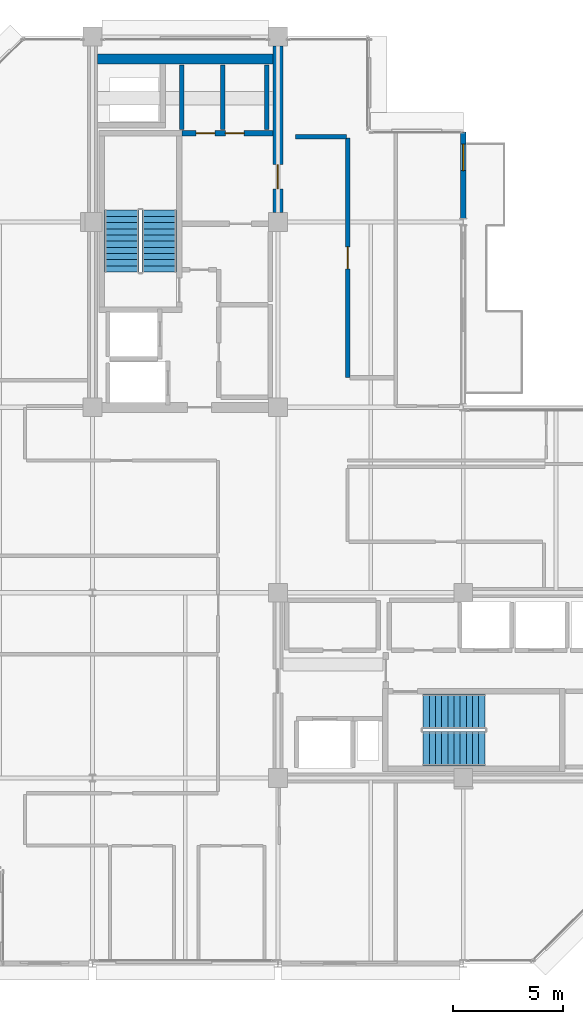
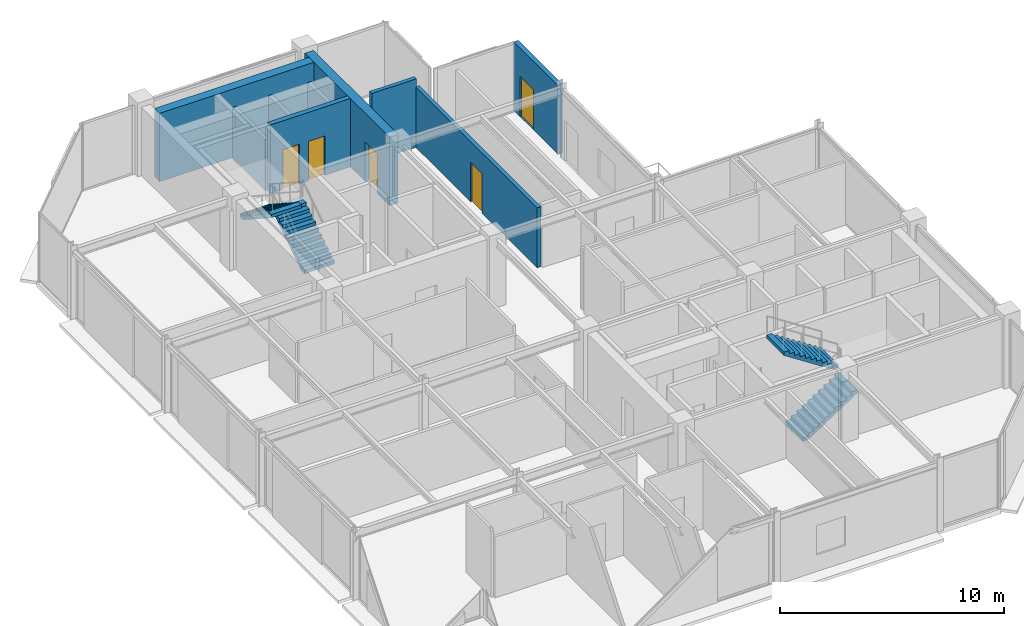
# One storey, part 22 of 25: 9 walls, 5 doors, 4 stair flights, 5 openings, 2 elements without a shape of their own.
"""IFC4 building model written with IfcOpenShell, lengths in metres."""

from ifc_helpers import new_model, si_unit, direction, frame, frame_2d, origin, place, context, subcontext, project, spatial, polyline, rectangle, outline, extrude, material, layer, layer_set, type_object, element, fill, aggregate, save


model = new_model("IFC4")

# Units and contexts
model_context = context("Model", 3, precision=1e-05, world=origin(), true_north=direction((0.0, 1.0)))
body_context = subcontext(model_context, "Body", "Model", "MODEL_VIEW")
ifc_project = project(units=[si_unit("LENGTHUNIT", "METRE"), si_unit("AREAUNIT", "SQUARE_METRE"), si_unit("VOLUMEUNIT", "CUBIC_METRE"), si_unit("PLANEANGLEUNIT", "RADIAN"), si_unit("MASSUNIT", "GRAM", prefix="KILO")], contexts=[model_context])

# Site, building, storey
site_placement = place(None, origin())
site = spatial("IfcSite", under=ifc_project, at=site_placement, CompositionType="ELEMENT")
building_placement = place(site_placement, origin())
building = spatial("IfcBuilding", under=site, at=building_placement, Name="Nerrivon Quay Data Exchange", CompositionType="ELEMENT")
storey_placement = place(building_placement, frame((0.0, 0.0, 290.199951171875)))
storey = spatial("IfcBuildingStorey", under=building, at=storey_placement, Name="L69", CompositionType="ELEMENT", Elevation=290.199951171875)

# Wall, opening, door
ifc_material_1 = material(Name="Architectural terracotta precast concrete N50 (50 MPa)", Category="masonry")
ifc_layer_1 = layer(ifc_material_1, 0.239990234375)
ifc_layer_set_1 = layer_set([ifc_layer_1], Name="Architectural terracotta precast concrete N50 (50 MPa)")
wall_type_1 = type_object("IfcWallType", Name="EW-PREC-240", PredefinedType="STANDARD", material=ifc_layer_set_1)
wall_1_placement = place(storey_placement, frame((25.199951171875, 37.679931640625, 0.0), z_axis=(0.0, 0.0, 1.0), x_axis=(0.0, -1.0, 0.0)))
wall_1 = element("IfcWall", 1, at=wall_1_placement, inside=storey, type_object=wall_type_1, Name="L69 Terrace Host Wall 19", PredefinedType="STANDARD", context=body_context, shape_type="SweptSolid", body=[
    extrude(rectangle(XDim=3.91650390625, YDim=0.239990234375, at=frame_2d((1.958251953125, 0.0))), origin(), (0.0, 0.0, 1.0), 3.72509765625),
])
opening_1_placement = place(wall_1_placement, frame((0.550048828125, 0.0, 0.0)))
opening_1 = element("IfcOpeningElement", 2, at=opening_1_placement, cuts=wall_1, Name="Opening TD1", PredefinedType="OPENING", context=body_context, shape_type="SweptSolid", body=[
    extrude(rectangle(XDim=1.199951171875, YDim=2.199951171875, at=frame_2d((0.60009765625, 1.10009765625))), frame((0.0, 0.1298828125, 0.0), z_axis=(0.0, -1.0, 0.0), x_axis=(1.0, 0.0, 0.0)), (0.0, 0.0, 1.0), 0.260009765625),
])
ifc_material_2 = material(Name="Double-glazed low-E solar control glass", Category="glass")
door_type_1 = type_object("IfcDoorType", Name="DR-TERR-1200x2200", OperationType="NOTDEFINED", PredefinedType="DOOR", material=ifc_material_2)
door_1_placement = place(opening_1_placement, origin())
door_1 = element("IfcDoor", 3, at=door_1_placement, inside=storey, type_object=door_type_1, Name="L69 Outdoor Terrace Access Door 19", OperationType="SINGLE_SWING_RIGHT", OverallHeight=2.199951171875, OverallWidth=1.199951171875, PredefinedType="DOOR", context=body_context, shape_type="SweptSolid", body=[
    extrude(rectangle(XDim=1.199951171875, YDim=2.199951171875, at=frame_2d((0.60009765625, 1.10009765625))), frame((0.0, 0.02490234375, 0.0), z_axis=(0.0, -1.0, 0.0), x_axis=(1.0, 0.0, 0.0)), (0.0, 0.0, 1.0), 0.050048828125),
])
fill(opening_1, door_1)

# Wall
ifc_material_3 = material(Name="Concrete N50 (50 MPa)", Category="concrete")
ifc_layer_2 = layer(ifc_material_3, 0.449951171875)
ifc_layer_set_2 = layer_set([ifc_layer_2], Name="Concrete N50 (50 MPa)")
wall_type_2 = type_object("IfcWallType", Name="WALL-CW-550", PredefinedType="SHEAR", material=ifc_layer_set_2)
wall_2_placement = place(storey_placement, frame((8.625, 40.97509765625, 0.0), z_axis=(0.0, 0.0, 1.0), x_axis=(1.0, 0.0, 0.0)))
element("IfcWall", 4, at=wall_2_placement, inside=storey, type_object=wall_type_2, Name="L69 West Split-Core Shear Wall WCW-N1", PredefinedType="SHEAR", context=body_context, shape_type="SweptSolid", body=[
    extrude(rectangle(XDim=7.949951171875, YDim=0.449951171875, at=frame_2d((3.97509765625, 0.0))), origin(), (0.0, 0.0, 1.0), 3.72509765625),
])

# Wall, opening, door
wall_3_placement = place(storey_placement, frame((16.800048828125, 34.02490234375, 0.0), z_axis=(0.0, 0.0, 1.0), x_axis=(0.0, 1.0, 0.0)))
wall_3 = element("IfcWall", 5, at=wall_3_placement, inside=storey, type_object=wall_type_2, Name="L69 West Split-Core Shear Wall WCW-E1", PredefinedType="SHEAR", context=body_context, shape_type="SweptSolid", body=[
    extrude(rectangle(XDim=7.550048828125, YDim=0.449951171875, at=frame_2d((3.77490234375, 0.0))), origin(), (0.0, 0.0, 1.0), 3.72509765625),
])
opening_2_placement = place(wall_3_placement, frame((1.074951171875, 0.0, 0.0)))
opening_2 = element("IfcOpeningElement", 6, at=opening_2_placement, cuts=wall_3, Name="Opening FD-120", PredefinedType="OPENING", context=body_context, shape_type="SweptSolid", body=[
    extrude(rectangle(XDim=1.10009765625, YDim=2.14990234375, at=frame_2d((0.550048828125, 1.074951171875))), frame((0.0, 0.23486328125, 0.0), z_axis=(0.0, -1.0, 0.0), x_axis=(1.0, 0.0, 0.0)), (0.0, 0.0, 1.0), 0.469970703125),
])
ifc_material_4 = material(Name="Powder-coated galvanized steel sheet", Category="steel")
door_type_2 = type_object("IfcDoorType", Name="DR-FD120-1100", OperationType="NOTDEFINED", PredefinedType="DOOR", material=ifc_material_4)
door_2_placement = place(opening_2_placement, origin())
door_2 = element("IfcDoor", 7, at=door_2_placement, inside=storey, type_object=door_type_2, Name="L69 West Core Lobby Fire Door", OperationType="SINGLE_SWING_RIGHT", OverallHeight=2.14990234375, OverallWidth=1.10009765625, PredefinedType="DOOR", context=body_context, shape_type="SweptSolid", body=[
    extrude(rectangle(XDim=1.10009765625, YDim=2.14990234375, at=frame_2d((0.550048828125, 1.074951171875))), frame((0.0, 0.02490234375, 0.0), z_axis=(0.0, -1.0, 0.0), x_axis=(1.0, 0.0, 0.0)), (0.0, 0.0, 1.0), 0.050048828125),
])
fill(opening_2, door_2)

# Walls
ifc_material_5 = material(Name="Gypsum plasterboard on cold-formed framing", Category="gypsum")
ifc_layer_3 = layer(ifc_material_5, 0.199951171875)
ifc_layer_set_3 = layer_set([ifc_layer_3], Name="Gypsum plasterboard on cold-formed framing")
wall_type_3 = type_object("IfcWallType", Name="WALL-FW-200", PredefinedType="PARTITIONING", material=ifc_layer_set_3)
for number, where, z_axis, x_axis, name in (
    (8, (14.300048828125, 37.780029296875, 0.0), (0.0, 0.0, 1.0), (0.0, 1.0, 0.0), "L69 Partition Cleaners Store"),
    (9, (12.449951171875, 40.699951171875, 0.0), (0.0, 0.0, 1.0), (0.0, -1.0, 0.0), "L69 Partition Cleaners Store"),
    (10, (16.300048828125, 37.780029296875, 0.0), (0.0, 0.0, 1.0), (0.0, 1.0, 0.0), "L69 Partition Janitor Closet"),
):
    element("IfcWall", number, at=place(storey_placement, frame(where, z_axis=z_axis, x_axis=x_axis)), inside=storey, type_object=wall_type_3, Name=name, PredefinedType="PARTITIONING", context=body_context, shape_type="SweptSolid", body=[
        extrude(rectangle(XDim=2.919921875, YDim=0.199951171875, at=frame_2d((1.4599609375, 0.0))), origin(), (0.0, 0.0, 1.0), 2.775146484375),
    ])

# Wall, opening, door
wall_4_placement = place(storey_placement, frame((19.9599609375, 37.39990234375, 0.0), z_axis=(0.0, 0.0, 1.0), x_axis=(0.0, -1.0, 0.0)))
wall_4 = element("IfcWall", 11, at=wall_4_placement, inside=storey, type_object=wall_type_3, Name="L69 Partition Colocation Data Workspace 1", PredefinedType="PARTITIONING", context=body_context, shape_type="SweptSolid", body=[
    extrude(rectangle(XDim=10.85498046875, YDim=0.199951171875, at=frame_2d((5.427490234375, 0.0))), origin(), (0.0, 0.0, 1.0), 3.27099609375),
])
opening_3_placement = place(wall_4_placement, frame((4.927490234375, 0.0, 0.0)))
opening_3 = element("IfcOpeningElement", 12, at=opening_3_placement, cuts=wall_4, Name="Opening FD-60", PredefinedType="OPENING", context=body_context, shape_type="SweptSolid", body=[
    extrude(rectangle(XDim=1.0, YDim=2.14990234375, at=frame_2d((0.5, 1.074951171875))), frame((0.0, 0.10986328125, 0.0), z_axis=(0.0, -1.0, 0.0), x_axis=(1.0, 0.0, 0.0)), (0.0, 0.0, 1.0), 0.219970703125),
])
ifc_material_6 = material(Name="Engineered hardwood timber", Category="wood")
door_type_3 = type_object("IfcDoorType", Name="DR-FD60-1000", OperationType="NOTDEFINED", PredefinedType="DOOR", material=ifc_material_6)
door_3_placement = place(opening_3_placement, origin())
door_3 = element("IfcDoor", 13, at=door_3_placement, inside=storey, type_object=door_type_3, Name="L69 Door Colocation Data Workspace 1", OperationType="SINGLE_SWING_LEFT", OverallHeight=2.14990234375, OverallWidth=1.0, PredefinedType="DOOR", context=body_context, shape_type="SweptSolid", body=[
    extrude(rectangle(XDim=1.0, YDim=2.14990234375, at=frame_2d((0.5, 1.074951171875))), frame((0.0, 0.02490234375, 0.0), z_axis=(0.0, -1.0, 0.0), x_axis=(1.0, 0.0, 0.0)), (0.0, 0.0, 1.0), 0.050048828125),
])
fill(opening_3, door_3)

# Wall
wall_5_placement = place(storey_placement, frame((17.60009765625, 37.4599609375, 0.0), z_axis=(0.0, 0.0, 1.0), x_axis=(1.0, 0.0, 0.0)))
element("IfcWall", 14, at=wall_5_placement, inside=storey, type_object=wall_type_3, Name="L69 Partition Colocation Data Workspace 1", PredefinedType="PARTITIONING", context=body_context, shape_type="SweptSolid", body=[
    extrude(rectangle(XDim=2.2998046875, YDim=0.199951171875, at=frame_2d((1.14990234375, 0.0))), origin(), (0.0, 0.0, 1.0), 3.72509765625),
])

# Wall, openings, doors
ifc_layer_4 = layer(ifc_material_3, 0.25)
ifc_layer_set_4 = layer_set([ifc_layer_4], Name="Concrete N50 (50 MPa)")
wall_type_4 = type_object("IfcWallType", Name="WALL-SW-250", PredefinedType="SHEAR", material=ifc_layer_set_4)
wall_6_placement = place(storey_placement, frame((12.449951171875, 37.625, 0.0), z_axis=(0.0, 0.0, 1.0), x_axis=(1.0, 0.0, 0.0)))
wall_6 = element("IfcWall", 15, at=wall_6_placement, inside=storey, type_object=wall_type_4, Name="L69 West Firefighting Lobby Wall", PredefinedType="SHEAR", context=body_context, shape_type="SweptSolid", body=[
    extrude(rectangle(XDim=4.125, YDim=0.25, at=frame_2d((2.0625, 0.0))), origin(), (0.0, 0.0, 1.0), 3.72509765625),
])
opening_4_placement = place(wall_6_placement, frame((0.6474609375, 0.0, 0.0)))
opening_4 = element("IfcOpeningElement", 16, at=opening_4_placement, cuts=wall_6, Name="Opening FD-60S", PredefinedType="OPENING", context=body_context, shape_type="SweptSolid", body=[
    extrude(rectangle(XDim=0.85009765625, YDim=2.14990234375, at=frame_2d((0.425048828125, 1.074951171875))), frame((0.0, 0.135009765625, 0.0), z_axis=(0.0, -1.0, 0.0), x_axis=(1.0, 0.0, 0.0)), (0.0, 0.0, 1.0), 0.27001953125),
])
opening_5_placement = place(wall_6_placement, frame((1.967529296875, 0.0, 0.0)))
opening_5 = element("IfcOpeningElement", 17, at=opening_5_placement, cuts=wall_6, Name="Opening FD-60S", PredefinedType="OPENING", context=body_context, shape_type="SweptSolid", body=[
    extrude(rectangle(XDim=0.85009765625, YDim=2.14990234375, at=frame_2d((0.425048828125, 1.074951171875))), frame((0.0, 0.135009765625, 0.0), z_axis=(0.0, -1.0, 0.0), x_axis=(1.0, 0.0, 0.0)), (0.0, 0.0, 1.0), 0.27001953125),
])
door_type_4 = type_object("IfcDoorType", Name="DR-FD60-850", OperationType="NOTDEFINED", PredefinedType="DOOR", material=ifc_material_6)
door_4_placement = place(opening_4_placement, origin())
door_4 = element("IfcDoor", 18, at=door_4_placement, inside=storey, type_object=door_type_4, Name="L69 Door Cleaners Store", OperationType="SINGLE_SWING_LEFT", OverallHeight=2.14990234375, OverallWidth=0.85009765625, PredefinedType="DOOR", context=body_context, shape_type="SweptSolid", body=[
    extrude(rectangle(XDim=0.85009765625, YDim=2.14990234375, at=frame_2d((0.425048828125, 1.074951171875))), frame((0.0, 0.02490234375, 0.0), z_axis=(0.0, -1.0, 0.0), x_axis=(1.0, 0.0, 0.0)), (0.0, 0.0, 1.0), 0.050048828125),
])
fill(opening_4, door_4)
door_5_placement = place(opening_5_placement, origin())
door_5 = element("IfcDoor", 19, at=door_5_placement, inside=storey, type_object=door_type_4, Name="L69 Door Janitor Closet", OperationType="SINGLE_SWING_RIGHT", OverallHeight=2.14990234375, OverallWidth=0.85009765625, PredefinedType="DOOR", context=body_context, shape_type="SweptSolid", body=[
    extrude(rectangle(XDim=0.85009765625, YDim=2.14990234375, at=frame_2d((0.425048828125, 1.074951171875))), frame((0.0, 0.02490234375, 0.0), z_axis=(0.0, -1.0, 0.0), x_axis=(1.0, 0.0, 0.0)), (0.0, 0.0, 1.0), 0.050048828125),
])
fill(opening_5, door_5)

# Stair, stair flights
stair_type = type_object("IfcStairType", Name="STAIR-DOG-40", PredefinedType="HALF_TURN_STAIR", material=ifc_material_3)
stair_1_placement = place(storey_placement, origin())
stair_1 = element("IfcStair", 20, at=stair_1_placement, inside=storey, type_object=stair_type, Name="L69 West Core Fire Stair ST01", PredefinedType="HALF_TURN_STAIR")
stair_flight_type = type_object("IfcStairFlightType", Name="FLIGHT-DOG-40", PredefinedType="STRAIGHT", material=ifc_material_3)
stair_flight_1_placement = place(storey_placement, frame((11.425048828125, 31.330078125, 0.0), z_axis=(0.0, 0.0, 1.0), x_axis=(0.0, 1.0, 0.0)))
stair_flight_1 = element("IfcStairFlight", 21, at=stair_flight_1_placement, type_object=stair_flight_type, Name="ST01 flight 1", NumberOfRisers=11, NumberOfTreads=10, PredefinedType="STRAIGHT", RiserHeight=0.181818182, TreadLength=0.28, context=body_context, shape_type="SweptSolid", body=[
    extrude(outline(polyline([(0.0, 0.0), (0.0, 0.181884765625), (0.280029296875, 0.181884765625), (0.280029296875, 0.363525390625), (0.56005859375, 0.363525390625), (0.56005859375, 0.54541015625), (0.840087890625, 0.54541015625), (0.840087890625, 0.727294921875), (1.1201171875, 0.727294921875), (1.1201171875, 0.9091796875), (1.39990234375, 0.9091796875), (1.39990234375, 1.0908203125), (1.679931640625, 1.0908203125), (1.679931640625, 1.272705078125), (1.9599609375, 1.272705078125), (1.9599609375, 1.45458984375), (2.239990234375, 1.45458984375), (2.239990234375, 1.636474609375), (2.52001953125, 1.636474609375), (2.52001953125, 1.818115234375), (2.800048828125, 1.818115234375), (2.800048828125, 2.0), (2.800048828125, 1.639404296875), (0.275146484375, 0.0), (0.0, 0.0)])), frame((0.0, 0.77490234375, 0.0), z_axis=(0.0, -1.0, 0.0), x_axis=(1.0, 0.0, 0.0)), (0.0, 0.0, 1.0), 1.550048828125),
])
stair_flight_2_placement = place(storey_placement, frame((9.72509765625, 34.1298828125, 2.0), z_axis=(0.0, 0.0, 1.0), x_axis=(0.0, -1.0, 0.0)))
stair_flight_2 = element("IfcStairFlight", 22, at=stair_flight_2_placement, type_object=stair_flight_type, Name="ST01 flight 2", NumberOfRisers=11, NumberOfTreads=10, PredefinedType="STRAIGHT", RiserHeight=0.181818182, TreadLength=0.28, context=body_context, shape_type="SweptSolid", body=[
    extrude(outline(polyline([(0.0, 0.0), (0.0, 0.181884765625), (0.280029296875, 0.181884765625), (0.280029296875, 0.363525390625), (0.56005859375, 0.363525390625), (0.56005859375, 0.54541015625), (0.840087890625, 0.54541015625), (0.840087890625, 0.727294921875), (1.1201171875, 0.727294921875), (1.1201171875, 0.9091796875), (1.39990234375, 0.9091796875), (1.39990234375, 1.0908203125), (1.679931640625, 1.0908203125), (1.679931640625, 1.272705078125), (1.9599609375, 1.272705078125), (1.9599609375, 1.45458984375), (2.239990234375, 1.45458984375), (2.239990234375, 1.636474609375), (2.52001953125, 1.636474609375), (2.52001953125, 1.818115234375), (2.800048828125, 1.818115234375), (2.800048828125, 2.0), (2.800048828125, 1.639404296875), (0.275146484375, 0.0), (0.0, 0.0)])), frame((0.0, 0.77490234375, 0.0), z_axis=(0.0, -1.0, 0.0), x_axis=(1.0, 0.0, 0.0)), (0.0, 0.0, 1.0), 1.550048828125),
])
aggregate(stair_1, [stair_flight_1, stair_flight_2])

stair_2_placement = place(storey_placement, origin())
stair_2 = element("IfcStair", 23, at=stair_2_placement, inside=storey, type_object=stair_type, Name="L69 East Core Fire Stair ST02", PredefinedType="HALF_TURN_STAIR")
stair_flight_3_placement = place(storey_placement, frame((23.3798828125, 9.72509765625, 0.0), z_axis=(0.0, 0.0, 1.0), x_axis=(1.0, 0.0, 0.0)))
stair_flight_3 = element("IfcStairFlight", 24, at=stair_flight_3_placement, type_object=stair_flight_type, Name="ST02 flight 1", NumberOfRisers=11, NumberOfTreads=10, PredefinedType="STRAIGHT", RiserHeight=0.181818182, TreadLength=0.28, context=body_context, shape_type="SweptSolid", body=[
    extrude(outline(polyline([(0.0, 0.0), (0.0, 0.181884765625), (0.280029296875, 0.181884765625), (0.280029296875, 0.363525390625), (0.56005859375, 0.363525390625), (0.56005859375, 0.54541015625), (0.840087890625, 0.54541015625), (0.840087890625, 0.727294921875), (1.1201171875, 0.727294921875), (1.1201171875, 0.9091796875), (1.39990234375, 0.9091796875), (1.39990234375, 1.0908203125), (1.679931640625, 1.0908203125), (1.679931640625, 1.272705078125), (1.9599609375, 1.272705078125), (1.9599609375, 1.45458984375), (2.239990234375, 1.45458984375), (2.239990234375, 1.636474609375), (2.52001953125, 1.636474609375), (2.52001953125, 1.818115234375), (2.800048828125, 1.818115234375), (2.800048828125, 2.0), (2.800048828125, 1.639404296875), (0.275146484375, 0.0), (0.0, 0.0)])), frame((0.0, 0.77490234375, 0.0), z_axis=(0.0, -1.0, 0.0), x_axis=(1.0, 0.0, 0.0)), (0.0, 0.0, 1.0), 1.550048828125),
])
stair_flight_4_placement = place(storey_placement, frame((26.179931640625, 11.425048828125, 2.0), z_axis=(0.0, 0.0, 1.0), x_axis=(-1.0, 0.0, 0.0)))
stair_flight_4 = element("IfcStairFlight", 25, at=stair_flight_4_placement, type_object=stair_flight_type, Name="ST02 flight 2", NumberOfRisers=11, NumberOfTreads=10, PredefinedType="STRAIGHT", RiserHeight=0.181818182, TreadLength=0.28, context=body_context, shape_type="SweptSolid", body=[
    extrude(outline(polyline([(0.0, 0.0), (0.0, 0.181884765625), (0.280029296875, 0.181884765625), (0.280029296875, 0.363525390625), (0.56005859375, 0.363525390625), (0.56005859375, 0.54541015625), (0.840087890625, 0.54541015625), (0.840087890625, 0.727294921875), (1.1201171875, 0.727294921875), (1.1201171875, 0.9091796875), (1.39990234375, 0.9091796875), (1.39990234375, 1.0908203125), (1.679931640625, 1.0908203125), (1.679931640625, 1.272705078125), (1.9599609375, 1.272705078125), (1.9599609375, 1.45458984375), (2.239990234375, 1.45458984375), (2.239990234375, 1.636474609375), (2.52001953125, 1.636474609375), (2.52001953125, 1.818115234375), (2.800048828125, 1.818115234375), (2.800048828125, 2.0), (2.800048828125, 1.639404296875), (0.275146484375, 0.0), (0.0, 0.0)])), frame((0.0, 0.77490234375, 0.0), z_axis=(0.0, -1.0, 0.0), x_axis=(1.0, 0.0, 0.0)), (0.0, 0.0, 1.0), 1.550048828125),
])
aggregate(stair_2, [stair_flight_3, stair_flight_4])

save(model, "model.ifc")
